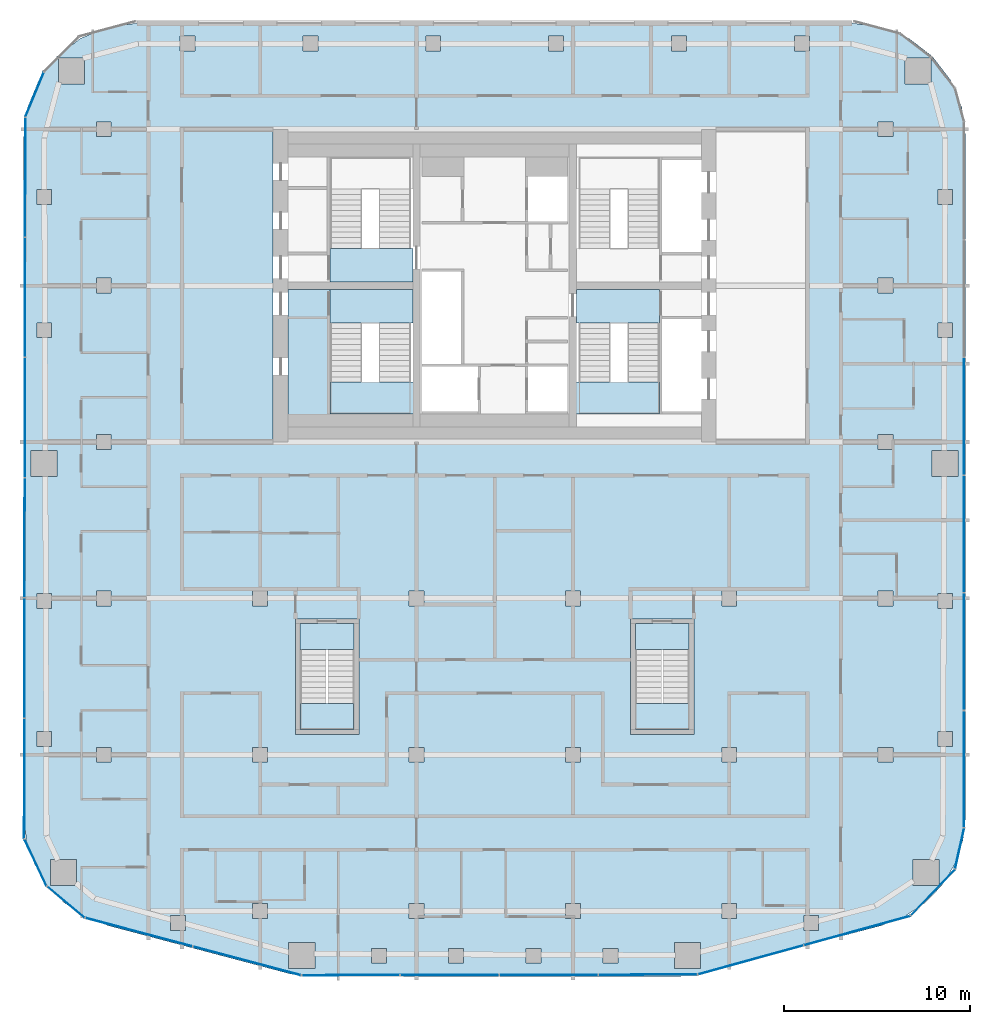
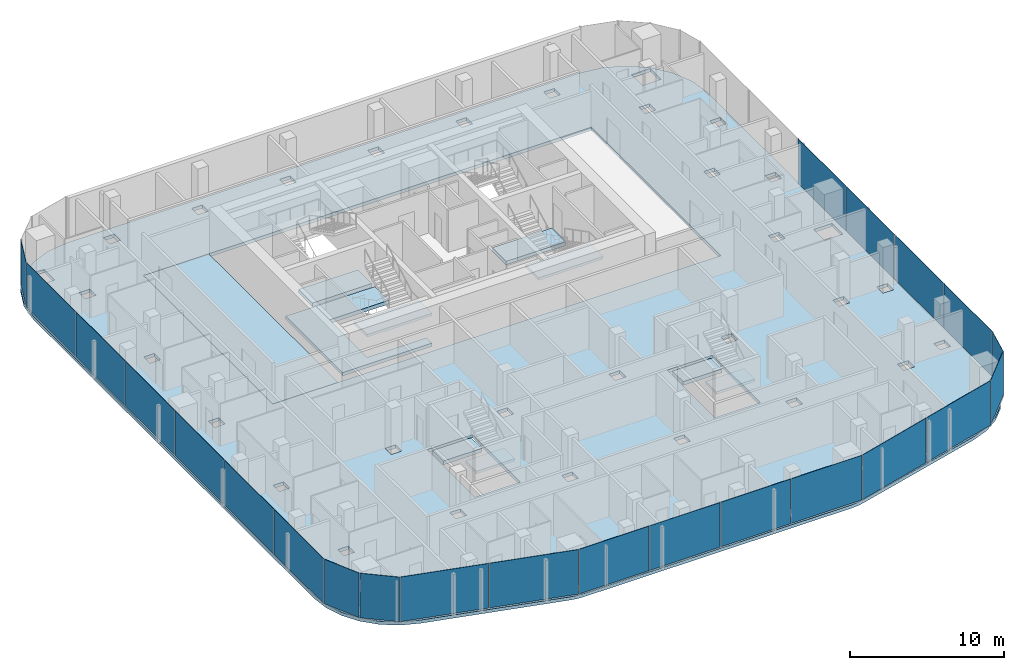
# One storey, part 12 of 21: 23 plates, 12 slabs, 14 elements without a shape of their own.
"""IFC4 building model written with IfcOpenShell, lengths in metres."""

from ifc_helpers import new_model, si_unit, direction, frame, origin, origin_2d, place, context, subcontext, project, spatial, polyline, rectangle, outline, extrude, material, layer, layer_set, type_object, element, aggregate, save


model = new_model("IFC4")

# Units and contexts
model_context = context("Model", 3, precision=1e-05, world=origin(), true_north=direction((0.0, 1.0)))
body_context = subcontext(model_context, "Body", "Model", "MODEL_VIEW")
ifc_project = project(units=[si_unit("LENGTHUNIT", "METRE"), si_unit("AREAUNIT", "SQUARE_METRE"), si_unit("VOLUMEUNIT", "CUBIC_METRE"), si_unit("PLANEANGLEUNIT", "RADIAN"), si_unit("MASSUNIT", "GRAM", prefix="KILO")], contexts=[model_context])

# Site, building, storey
site_placement = place(None, origin())
site = spatial("IfcSite", under=ifc_project, at=site_placement, CompositionType="ELEMENT")
building_placement = place(site_placement, origin())
building = spatial("IfcBuilding", under=site, at=building_placement, Name="Marenta Gate Hotel Tower", CompositionType="ELEMENT")
storey_placement = place(building_placement, frame((0.0, 0.0, 245.300048828125)))
storey = spatial("IfcBuildingStorey", under=building, at=storey_placement, Name="L58", CompositionType="ELEMENT", Elevation=245.300048828125)

# Slabs
ifc_material_1 = material(Name="Concrete C35", Category="concrete")
ifc_layer_1 = layer(ifc_material_1, 0.260009765625)
ifc_layer_set_1 = layer_set([ifc_layer_1], Name="Concrete C35")
slab_type_1 = type_object("IfcSlabType", Name="Concrete floor slab 260", PredefinedType="FLOOR", material=ifc_layer_set_1)
slab_1_placement = place(storey_placement, frame((0.0, 0.0, -0.260009765625)))
element("IfcSlab", 1, at=slab_1_placement, inside=storey, type_object=slab_type_1, Name="L58-SL-1", PredefinedType="FLOOR", context=body_context, shape_type="SweptSolid", body=[
    extrude(outline(polyline([(-23.11376953125, -24.76416015625), (-24.035400390625, -23.803955078125), (-24.72705078125, -22.6669921875), (-25.155517578125, -21.4072265625), (-25.300048828125, -20.08984375), (-25.300048828125, 16.406494140625), (-25.093017578125, 17.97900390625), (-24.483642578125, 19.450439453125), (-23.513916015625, 20.7138671875), (-22.25048828125, 21.68359375), (-20.779052734375, 22.29296875), (-19.20654296875, 22.5), (19.20654296875, 22.5), (20.779052734375, 22.29296875), (22.25048828125, 21.68359375), (23.513916015625, 20.7138671875), (24.483642578125, 19.450439453125), (25.093017578125, 17.97900390625), (25.300048828125, 16.406494140625), (25.300048828125, -20.08984375), (25.155517578125, -21.4072265625), (24.72705078125, -22.6669921875), (24.035400390625, -23.803955078125), (23.11376953125, -24.76416015625), (22.005859375, -25.501220703125), (20.76953125, -25.978759765625), (11.026611328125, -28.563720703125), (10.508544921875, -28.665771484375), (9.981689453125, -28.699951171875), (-9.981689453125, -28.699951171875), (-10.508544921875, -28.665771484375), (-11.026611328125, -28.563720703125), (-20.76953125, -25.978759765625), (-22.005859375, -25.501220703125), (-23.11376953125, -24.76416015625)]), holes=[polyline([(-16.800048828125, 0.0), (16.800048828125, 0.0), (16.800048828125, 16.800048828125), (-16.800048828125, 16.800048828125), (-16.800048828125, 0.0)]), polyline([(-16.606689453125, -25.439208984375), (-17.40673828125, -25.439208984375), (-17.40673828125, -26.239013671875), (-16.606689453125, -26.239013671875), (-16.606689453125, -25.439208984375)]), polyline([(-12.199951171875, -25.60009765625), (-12.199951171875, -24.800048828125), (-13.0, -24.800048828125), (-13.0, -25.60009765625), (-12.199951171875, -25.60009765625)]), polyline([(-22.462890625, -23.8330078125), (-22.462890625, -22.43310546875), (-23.863037109375, -22.43310546875), (-23.863037109375, -23.8330078125), (-22.462890625, -23.8330078125)]), polyline([(-12.199951171875, -16.39990234375), (-13.0, -16.39990234375), (-13.0, -17.199951171875), (-12.199951171875, -17.199951171875), (-12.199951171875, -16.39990234375)]), polyline([(-20.60009765625, -17.199951171875), (-20.60009765625, -16.39990234375), (-21.39990234375, -16.39990234375), (-21.39990234375, -17.199951171875), (-20.60009765625, -17.199951171875)]), polyline([(-23.800048828125, -16.351806640625), (-23.800048828125, -15.552001953125), (-24.60009765625, -15.552001953125), (-24.60009765625, -16.351806640625), (-23.800048828125, -16.351806640625)]), polyline([(-23.800048828125, -8.15087890625), (-24.60009765625, -8.15087890625), (-24.60009765625, -8.950927734375), (-23.800048828125, -8.950927734375), (-23.800048828125, -8.15087890625)]), polyline([(-12.199951171875, -8.800048828125), (-12.199951171875, -8.0), (-13.0, -8.0), (-13.0, -8.800048828125), (-12.199951171875, -8.800048828125)]), polyline([(-20.60009765625, -8.800048828125), (-20.60009765625, -8.0), (-21.39990234375, -8.0), (-21.39990234375, -8.800048828125), (-20.60009765625, -8.800048828125)]), polyline([(-23.5, -0.449951171875), (-24.89990234375, -0.449951171875), (-24.89990234375, -1.85009765625), (-23.5, -1.85009765625), (-23.5, -0.449951171875)]), polyline([(-20.60009765625, -0.39990234375), (-20.60009765625, 0.39990234375), (-21.39990234375, 0.39990234375), (-21.39990234375, -0.39990234375), (-20.60009765625, -0.39990234375)]), polyline([(-23.800048828125, 5.603271484375), (-23.800048828125, 6.4033203125), (-24.60009765625, 6.4033203125), (-24.60009765625, 5.603271484375), (-23.800048828125, 5.603271484375)]), polyline([(-20.60009765625, 8.800048828125), (-21.39990234375, 8.800048828125), (-21.39990234375, 8.0), (-20.60009765625, 8.0), (-20.60009765625, 8.800048828125)]), polyline([(-23.800048828125, 12.75634765625), (-23.800048828125, 13.556396484375), (-24.60009765625, 13.556396484375), (-24.60009765625, 12.75634765625), (-23.800048828125, 12.75634765625)]), polyline([(-20.60009765625, 16.39990234375), (-20.60009765625, 17.199951171875), (-21.39990234375, 17.199951171875), (-21.39990234375, 16.39990234375), (-20.60009765625, 16.39990234375)]), polyline([(-22.035400390625, 20.635498046875), (-23.435546875, 20.635498046875), (-23.435546875, 19.235595703125), (-22.035400390625, 19.235595703125), (-22.035400390625, 20.635498046875)]), polyline([(-16.10693359375, 21.0), (-16.10693359375, 21.800048828125), (-16.906982421875, 21.800048828125), (-16.906982421875, 21.0), (-16.10693359375, 21.0)]), polyline([(-5.820068359375, -28.0), (-5.820068359375, -27.199951171875), (-6.6201171875, -27.199951171875), (-6.6201171875, -28.0), (-5.820068359375, -28.0)]), polyline([(6.6201171875, -27.199951171875), (5.820068359375, -27.199951171875), (5.820068359375, -28.0), (6.6201171875, -28.0), (6.6201171875, -27.199951171875)]), polyline([(2.473388671875, -28.0), (2.473388671875, -27.199951171875), (1.67333984375, -27.199951171875), (1.67333984375, -28.0), (2.473388671875, -28.0)]), polyline([(-1.67333984375, -28.0), (-1.67333984375, -27.199951171875), (-2.473388671875, -27.199951171875), (-2.473388671875, -28.0), (-1.67333984375, -28.0)]), polyline([(-9.666259765625, -28.27490234375), (-9.666259765625, -26.874755859375), (-11.06640625, -26.874755859375), (-11.06640625, -28.27490234375), (-9.666259765625, -28.27490234375)]), polyline([(11.06640625, -28.27490234375), (11.06640625, -26.874755859375), (9.666259765625, -26.874755859375), (9.666259765625, -28.27490234375), (11.06640625, -28.27490234375)]), polyline([(13.0, -25.60009765625), (13.0, -24.800048828125), (12.199951171875, -24.800048828125), (12.199951171875, -25.60009765625), (13.0, -25.60009765625)]), polyline([(4.60009765625, -25.60009765625), (4.60009765625, -24.800048828125), (3.800048828125, -24.800048828125), (3.800048828125, -25.60009765625), (4.60009765625, -25.60009765625)]), polyline([(-3.800048828125, -24.800048828125), (-4.60009765625, -24.800048828125), (-4.60009765625, -25.60009765625), (-3.800048828125, -25.60009765625), (-3.800048828125, -24.800048828125)]), polyline([(4.60009765625, -17.199951171875), (4.60009765625, -16.39990234375), (3.800048828125, -16.39990234375), (3.800048828125, -17.199951171875), (4.60009765625, -17.199951171875)]), polyline([(-3.800048828125, -17.199951171875), (-3.800048828125, -16.39990234375), (-4.60009765625, -16.39990234375), (-4.60009765625, -17.199951171875), (-3.800048828125, -17.199951171875)]), polyline([(4.60009765625, -8.0), (3.800048828125, -8.0), (3.800048828125, -8.800048828125), (4.60009765625, -8.800048828125), (4.60009765625, -8.0)]), polyline([(-3.800048828125, -8.800048828125), (-3.800048828125, -8.0), (-4.60009765625, -8.0), (-4.60009765625, -8.800048828125), (-3.800048828125, -8.800048828125)]), polyline([(-2.9013671875, 21.0), (-2.9013671875, 21.800048828125), (-3.701416015625, 21.800048828125), (-3.701416015625, 21.0), (-2.9013671875, 21.0)]), polyline([(3.701416015625, 21.800048828125), (2.9013671875, 21.800048828125), (2.9013671875, 21.0), (3.701416015625, 21.0), (3.701416015625, 21.800048828125)]), polyline([(10.30419921875, 21.0), (10.30419921875, 21.800048828125), (9.504150390625, 21.800048828125), (9.504150390625, 21.0), (10.30419921875, 21.0)]), polyline([(-9.504150390625, 21.0), (-9.504150390625, 21.800048828125), (-10.30419921875, 21.800048828125), (-10.30419921875, 21.0), (-9.504150390625, 21.0)]), polyline([(17.40673828125, -25.439208984375), (16.606689453125, -25.439208984375), (16.606689453125, -26.239013671875), (17.40673828125, -26.239013671875), (17.40673828125, -25.439208984375)]), polyline([(23.863037109375, -23.8330078125), (23.863037109375, -22.43310546875), (22.462890625, -22.43310546875), (22.462890625, -23.8330078125), (23.863037109375, -23.8330078125)]), polyline([(13.0, -17.199951171875), (13.0, -16.39990234375), (12.199951171875, -16.39990234375), (12.199951171875, -17.199951171875), (13.0, -17.199951171875)]), polyline([(21.39990234375, -16.39990234375), (20.60009765625, -16.39990234375), (20.60009765625, -17.199951171875), (21.39990234375, -17.199951171875), (21.39990234375, -16.39990234375)]), polyline([(24.60009765625, -16.351806640625), (24.60009765625, -15.552001953125), (23.800048828125, -15.552001953125), (23.800048828125, -16.351806640625), (24.60009765625, -16.351806640625)]), polyline([(24.60009765625, -8.950927734375), (24.60009765625, -8.15087890625), (23.800048828125, -8.15087890625), (23.800048828125, -8.950927734375), (24.60009765625, -8.950927734375)]), polyline([(13.0, -8.0), (12.199951171875, -8.0), (12.199951171875, -8.800048828125), (13.0, -8.800048828125), (13.0, -8.0)]), polyline([(21.39990234375, -8.800048828125), (21.39990234375, -8.0), (20.60009765625, -8.0), (20.60009765625, -8.800048828125), (21.39990234375, -8.800048828125)]), polyline([(24.89990234375, -1.85009765625), (24.89990234375, -0.449951171875), (23.5, -0.449951171875), (23.5, -1.85009765625), (24.89990234375, -1.85009765625)]), polyline([(21.39990234375, 0.39990234375), (20.60009765625, 0.39990234375), (20.60009765625, -0.39990234375), (21.39990234375, -0.39990234375), (21.39990234375, 0.39990234375)]), polyline([(24.60009765625, 5.603271484375), (24.60009765625, 6.4033203125), (23.800048828125, 6.4033203125), (23.800048828125, 5.603271484375), (24.60009765625, 5.603271484375)]), polyline([(21.39990234375, 8.0), (21.39990234375, 8.800048828125), (20.60009765625, 8.800048828125), (20.60009765625, 8.0), (21.39990234375, 8.0)]), polyline([(24.60009765625, 12.75634765625), (24.60009765625, 13.556396484375), (23.800048828125, 13.556396484375), (23.800048828125, 12.75634765625), (24.60009765625, 12.75634765625)]), polyline([(21.39990234375, 16.39990234375), (21.39990234375, 17.199951171875), (20.60009765625, 17.199951171875), (20.60009765625, 16.39990234375), (21.39990234375, 16.39990234375)]), polyline([(23.435546875, 19.235595703125), (23.435546875, 20.635498046875), (22.035400390625, 20.635498046875), (22.035400390625, 19.235595703125), (23.435546875, 19.235595703125)]), polyline([(16.906982421875, 21.0), (16.906982421875, 21.800048828125), (16.10693359375, 21.800048828125), (16.10693359375, 21.0), (16.906982421875, 21.0)]), polyline([(-7.300048828125, -15.699951171875), (-7.300048828125, -9.5), (-10.699951171875, -9.5), (-10.699951171875, -15.699951171875), (-7.300048828125, -15.699951171875)]), polyline([(10.699951171875, -15.699951171875), (10.699951171875, -9.5), (7.300048828125, -9.5), (7.300048828125, -15.699951171875), (10.699951171875, -15.699951171875)])]), origin(), (0.0, 0.0, 1.0), 0.260009765625),
])
ifc_material_2 = material(Name="Concrete C40", Category="concrete")
ifc_layer_2 = layer(ifc_material_2, 0.260009765625)
ifc_layer_set_2 = layer_set([ifc_layer_2], Name="Concrete C40")
slab_type_2 = type_object("IfcSlabType", Name="Core floor slab 260", PredefinedType="FLOOR", material=ifc_layer_set_2)
slab_2_placement = place(storey_placement, frame((0.0, 0.0, -0.260009765625)))
element("IfcSlab", 2, at=slab_2_placement, inside=storey, type_object=slab_type_2, Name="L58-CF-5", PredefinedType="FLOOR", context=body_context, shape_type="SweptSolid", body=[
    extrude(outline(polyline([(-8.85009765625, 8.199951171875), (-8.85009765625, 8.10009765625), (-8.85009765625, 6.39990234375), (-8.85009765625, 1.5), (-4.39990234375, 1.5), (-4.39990234375, 0.800048828125), (-11.10009765625, 0.800048828125), (-11.10009765625, 8.199951171875), (-8.85009765625, 8.199951171875)])), origin(), (0.0, 0.0, 1.0), 0.260009765625),
])
slab_3_placement = place(storey_placement, frame((0.0, 0.0, -0.260009765625)))
element("IfcSlab", 3, at=slab_3_placement, inside=storey, type_object=slab_type_2, Name="L58-CF-7", PredefinedType="FLOOR", context=body_context, shape_type="SweptSolid", body=[
    extrude(outline(polyline([(-11.89990234375, 16.800048828125), (-11.89990234375, 0.0), (-16.800048828125, 0.0), (-16.800048828125, 16.800048828125), (-11.89990234375, 16.800048828125)])), origin(), (0.0, 0.0, 1.0), 0.260009765625),
])

# Stair, slab
ifc_material_3 = material(Name="Concrete C40", Category="concrete")
stair_type_1 = type_object("IfcStairType", Name="Core exit stair 1700 wide", PredefinedType="HALF_TURN_STAIR", material=ifc_material_3)
stair_1_placement = place(storey_placement, origin())
stair_1 = element("IfcStair", 4, at=stair_1_placement, inside=storey, type_object=stair_type_1, Name="Exit stair 1", PredefinedType="HALF_TURN_STAIR")
ifc_material_4 = material(Name="Concrete C40", Category="concrete")
ifc_layer_3 = layer(ifc_material_4, 0.199951171875)
ifc_layer_set_3 = layer_set([ifc_layer_3], Name="Concrete C40")
slab_type_3 = type_object("IfcSlabType", Name="Core stair landing 200", PredefinedType="LANDING", material=ifc_layer_set_3)
slab_4_placement = place(storey_placement, frame((0.0, 0.0, 1.599853515625)))
slab_4 = element("IfcSlab", 5, at=slab_4_placement, type_object=slab_type_3, Name="SL-200 ST1 landing 1", PredefinedType="LANDING", context=body_context, shape_type="SweptSolid", body=[
    extrude(outline(polyline([(-8.85009765625, 1.5), (-4.0, 1.5), (-4.0, 3.2099609375), (-8.85009765625, 3.2099609375), (-8.85009765625, 1.5)])), origin(), (0.0, 0.0, 1.0), 0.2001953125),
])
aggregate(stair_1, [slab_4])

stair_2_placement = place(storey_placement, origin())
stair_2 = element("IfcStair", 6, at=stair_2_placement, inside=storey, type_object=stair_type_1, Name="Exit stair 3", PredefinedType="HALF_TURN_STAIR")
slab_5_placement = place(storey_placement, frame((0.0, 0.0, 1.599853515625)))
slab_5 = element("IfcSlab", 7, at=slab_5_placement, type_object=slab_type_3, Name="SL-200 ST3 landing 1", PredefinedType="LANDING", context=body_context, shape_type="SweptSolid", body=[
    extrude(outline(polyline([(4.0, 1.5), (8.85009765625, 1.5), (8.85009765625, 3.2099609375), (4.0, 3.2099609375), (4.0, 1.5)])), origin(), (0.0, 0.0, 1.0), 0.2001953125),
])
aggregate(stair_2, [slab_5])

# Curtain wall, plate
ifc_material_5 = material(Name="Tinted insulated glass in bronze anodised frame", Category="glass")
ifc_layer_4 = layer(ifc_material_5, 0.1201171875)
ifc_layer_set_4 = layer_set([ifc_layer_4], Name="Tinted insulated glass in bronze anodised frame")
curtain_wall_type = type_object("IfcCurtainWallType", Name="Tower unitised curtain wall CW1", PredefinedType="NOTDEFINED", material=ifc_layer_set_4)
curtain_wall_1_placement = place(storey_placement, origin())
curtain_wall_1 = element("IfcCurtainWall", 8, at=curtain_wall_1_placement, inside=storey, type_object=curtain_wall_type, Name="CW1 run G02", PredefinedType="NOTDEFINED")
ifc_material_6 = material(Name="Tinted insulated glass", Category="glass")
ifc_layer_5 = layer(ifc_material_6, 0.028076171875)
ifc_layer_set_5 = layer_set([ifc_layer_5], Name="Tinted insulated glass")
plate_type = type_object("IfcPlateType", Name="Glass panel CW1 28 mm tinted insulated unit", PredefinedType="CURTAIN_PANEL", material=ifc_layer_set_5)
plate_1_placement = place(storey_placement, frame((-24.719482421875, 18.656005859375, 0.059814453125), z_axis=(0.0, 0.0, 1.0), x_axis=(-0.382666772044, -0.923886433266, 0.0)))
plate_1 = element("IfcPlate", 9, at=plate_1_placement, type_object=plate_type, Name="CW1 panel 1.1", PredefinedType="CURTAIN_PANEL", context=body_context, shape_type="SweptSolid", body=[
    extrude(rectangle(XDim=2.57568359375, YDim=0.028076171875, at=origin_2d()), origin(), (0.0, 0.0, 1.0), 3.5400390625),
])
aggregate(curtain_wall_1, [plate_1])

# Curtain wall, plates
curtain_wall_2_placement = place(storey_placement, origin())
curtain_wall_2 = element("IfcCurtainWall", 10, at=curtain_wall_2_placement, inside=storey, type_object=curtain_wall_type, Name="CW1 run G03", PredefinedType="NOTDEFINED")
plate_2_placement = place(storey_placement, frame((-25.21728515625, 14.22119140625, 0.059814453125), z_axis=(0.0, 0.0, 1.0), x_axis=(-0.001566045546, -0.99999877375, 0.0)))
plate_2 = element("IfcPlate", 11, at=plate_2_placement, type_object=plate_type, Name="CW1 panel 1.1", PredefinedType="CURTAIN_PANEL", context=body_context, shape_type="SweptSolid", body=[
    extrude(rectangle(XDim=6.3701171875, YDim=0.028076171875, at=origin_2d()), origin(), (0.0, 0.0, 1.0), 3.5400390625),
])
plate_3_placement = place(storey_placement, frame((-25.2275390625, 7.776123046875, 0.059814453125), z_axis=(0.0, 0.0, 1.0), x_axis=(-0.001566045546, -0.99999877375, 0.0)))
plate_3 = element("IfcPlate", 12, at=plate_3_placement, type_object=plate_type, Name="CW1 panel 2.1", PredefinedType="CURTAIN_PANEL", context=body_context, shape_type="SweptSolid", body=[
    extrude(rectangle(XDim=6.39990234375, YDim=0.028076171875, at=origin_2d()), origin(), (0.0, 0.0, 1.0), 3.5400390625),
])
plate_4_placement = place(storey_placement, frame((-25.237548828125, 1.316162109375, 0.059814453125), z_axis=(0.0, 0.0, 1.0), x_axis=(-0.001566045546, -0.99999877375, 0.0)))
plate_4 = element("IfcPlate", 13, at=plate_4_placement, type_object=plate_type, Name="CW1 panel 3.1", PredefinedType="CURTAIN_PANEL", context=body_context, shape_type="SweptSolid", body=[
    extrude(rectangle(XDim=6.39990234375, YDim=0.028076171875, at=origin_2d()), origin(), (0.0, 0.0, 1.0), 3.5400390625),
])
plate_5_placement = place(storey_placement, frame((-25.247802734375, -5.143798828125, 0.059814453125), z_axis=(0.0, 0.0, 1.0), x_axis=(-0.001566045546, -0.99999877375, 0.0)))
plate_5 = element("IfcPlate", 14, at=plate_5_placement, type_object=plate_type, Name="CW1 panel 4.1", PredefinedType="CURTAIN_PANEL", context=body_context, shape_type="SweptSolid", body=[
    extrude(rectangle(XDim=6.39990234375, YDim=0.028076171875, at=origin_2d()), origin(), (0.0, 0.0, 1.0), 3.5400390625),
])
plate_6_placement = place(storey_placement, frame((-25.2578125, -11.603759765625, 0.059814453125), z_axis=(0.0, 0.0, 1.0), x_axis=(-0.001566045546, -0.99999877375, 0.0)))
plate_6 = element("IfcPlate", 15, at=plate_6_placement, type_object=plate_type, Name="CW1 panel 5.1", PredefinedType="CURTAIN_PANEL", context=body_context, shape_type="SweptSolid", body=[
    extrude(rectangle(XDim=6.39990234375, YDim=0.028076171875, at=origin_2d()), origin(), (0.0, 0.0, 1.0), 3.5400390625),
])
plate_7_placement = place(storey_placement, frame((-25.26806640625, -18.078857421875, 0.059814453125), z_axis=(0.0, 0.0, 1.0), x_axis=(-0.001566045546, -0.99999877375, 0.0)))
plate_7 = element("IfcPlate", 16, at=plate_7_placement, type_object=plate_type, Name="CW1 panel 6.1", PredefinedType="CURTAIN_PANEL", context=body_context, shape_type="SweptSolid", body=[
    extrude(rectangle(XDim=6.429931640625, YDim=0.028076171875, at=origin_2d()), origin(), (0.0, 0.0, 1.0), 3.5400390625),
])
aggregate(curtain_wall_2, [plate_2, plate_3, plate_4, plate_5, plate_6, plate_7])

# Curtain wall, plate
curtain_wall_3_placement = place(storey_placement, origin())
curtain_wall_3 = element("IfcCurtainWall", 17, at=curtain_wall_3_placement, inside=storey, type_object=curtain_wall_type, Name="CW1 run G04", PredefinedType="NOTDEFINED")
plate_8_placement = place(storey_placement, frame((-24.665283203125, -22.594482421875, 0.059814453125), z_axis=(0.0, 0.0, 1.0), x_axis=(0.42333719762, -0.905972194447, 0.0)))
plate_8 = element("IfcPlate", 18, at=plate_8_placement, type_object=plate_type, Name="CW1 panel 1.1", PredefinedType="CURTAIN_PANEL", context=body_context, shape_type="SweptSolid", body=[
    extrude(rectangle(XDim=2.751220703125, YDim=0.028076171875, at=origin_2d()), origin(), (0.0, 0.0, 1.0), 3.5400390625),
])
aggregate(curtain_wall_3, [plate_8])

curtain_wall_4_placement = place(storey_placement, origin())
curtain_wall_4 = element("IfcCurtainWall", 19, at=curtain_wall_4_placement, inside=storey, type_object=curtain_wall_type, Name="CW1 run G05", PredefinedType="NOTDEFINED")
plate_9_placement = place(storey_placement, frame((-23.0361328125, -24.716064453125, 0.059814453125), z_axis=(0.0, 0.0, 1.0), x_axis=(0.767102345594, -0.641524739495, 0.0)))
plate_9 = element("IfcPlate", 20, at=plate_9_placement, type_object=plate_type, Name="CW1 panel 1.1", PredefinedType="CURTAIN_PANEL", context=body_context, shape_type="SweptSolid", body=[
    extrude(rectangle(XDim=2.609375, YDim=0.028076171875, at=origin_2d()), origin(), (0.0, 0.0, 1.0), 3.5400390625),
])
aggregate(curtain_wall_4, [plate_9])

# Curtain wall, plates
curtain_wall_5_placement = place(storey_placement, origin())
curtain_wall_5 = element("IfcCurtainWall", 21, at=curtain_wall_5_placement, inside=storey, type_object=curtain_wall_type, Name="CW1 run G06", PredefinedType="NOTDEFINED")
plate_10_placement = place(storey_placement, frame((-19.113525390625, -26.33056640625, 0.059814453125), z_axis=(0.0, 0.0, 1.0), x_axis=(0.966374375295, -0.257139197271, 0.0)))
plate_10 = element("IfcPlate", 22, at=plate_10_placement, type_object=plate_type, Name="CW1 panel 1.1", PredefinedType="CURTAIN_PANEL", context=body_context, shape_type="SweptSolid", body=[
    extrude(rectangle(XDim=5.927001953125, YDim=0.028076171875, at=origin_2d()), origin(), (0.0, 0.0, 1.0), 3.5400390625),
])
plate_11_placement = place(storey_placement, frame((-13.298828125, -27.877685546875, 0.059814453125), z_axis=(0.0, 0.0, 1.0), x_axis=(0.966374375295, -0.257139197271, 0.0)))
plate_11 = element("IfcPlate", 23, at=plate_11_placement, type_object=plate_type, Name="CW1 panel 2.1", PredefinedType="CURTAIN_PANEL", context=body_context, shape_type="SweptSolid", body=[
    extrude(rectangle(XDim=5.987060546875, YDim=0.028076171875, at=origin_2d()), origin(), (0.0, 0.0, 1.0), 3.5400390625),
])
aggregate(curtain_wall_5, [plate_10, plate_11])

curtain_wall_6_placement = place(storey_placement, origin())
curtain_wall_6 = element("IfcCurtainWall", 24, at=curtain_wall_6_placement, inside=storey, type_object=curtain_wall_type, Name="CW1 run G07", PredefinedType="NOTDEFINED")
plate_12_placement = place(storey_placement, frame((-7.73095703125, -28.64306640625, 0.059814453125), z_axis=(0.0, 0.0, 1.0), x_axis=(0.999998647385, 0.001644757804, 0.0)))
plate_12 = element("IfcPlate", 25, at=plate_12_placement, type_object=plate_type, Name="CW1 panel 1.1", PredefinedType="CURTAIN_PANEL", context=body_context, shape_type="SweptSolid", body=[
    extrude(rectangle(XDim=5.22998046875, YDim=0.028076171875, at=origin_2d()), origin(), (0.0, 0.0, 1.0), 3.5400390625),
])
plate_13_placement = place(storey_placement, frame((-2.426025390625, -28.63427734375, 0.059814453125), z_axis=(0.0, 0.0, 1.0), x_axis=(0.999998647385, 0.001644757804, 0.0)))
plate_13 = element("IfcPlate", 26, at=plate_13_placement, type_object=plate_type, Name="CW1 panel 2.1", PredefinedType="CURTAIN_PANEL", context=body_context, shape_type="SweptSolid", body=[
    extrude(rectangle(XDim=5.260009765625, YDim=0.028076171875, at=origin_2d()), origin(), (0.0, 0.0, 1.0), 3.5400390625),
])
plate_14_placement = place(storey_placement, frame((2.893798828125, -28.625732421875, 0.059814453125), z_axis=(0.0, 0.0, 1.0), x_axis=(0.999998647385, 0.001644757804, 0.0)))
plate_14 = element("IfcPlate", 27, at=plate_14_placement, type_object=plate_type, Name="CW1 panel 3.1", PredefinedType="CURTAIN_PANEL", context=body_context, shape_type="SweptSolid", body=[
    extrude(rectangle(XDim=5.260009765625, YDim=0.028076171875, at=origin_2d()), origin(), (0.0, 0.0, 1.0), 3.5400390625),
])
plate_15_placement = place(storey_placement, frame((8.228759765625, -28.616943359375, 0.059814453125), z_axis=(0.0, 0.0, 1.0), x_axis=(0.999998647385, 0.001644757804, 0.0)))
plate_15 = element("IfcPlate", 28, at=plate_15_placement, type_object=plate_type, Name="CW1 panel 4.1", PredefinedType="CURTAIN_PANEL", context=body_context, shape_type="SweptSolid", body=[
    extrude(rectangle(XDim=5.289794921875, YDim=0.028076171875, at=origin_2d()), origin(), (0.0, 0.0, 1.0), 3.5400390625),
])
aggregate(curtain_wall_6, [plate_12, plate_13, plate_14, plate_15])

curtain_wall_7_placement = place(storey_placement, origin())
curtain_wall_7 = element("IfcCurtainWall", 29, at=curtain_wall_7_placement, inside=storey, type_object=curtain_wall_type, Name="CW1 run G08", PredefinedType="NOTDEFINED")
plate_16_placement = place(storey_placement, frame((13.7509765625, -27.82080078125, 0.059814453125), z_axis=(0.0, 0.0, 1.0), x_axis=(0.964167765212, 0.265293272675, 0.0)))
plate_16 = element("IfcPlate", 30, at=plate_16_placement, type_object=plate_type, Name="CW1 panel 1.1", PredefinedType="CURTAIN_PANEL", context=body_context, shape_type="SweptSolid", body=[
    extrude(rectangle(XDim=5.848388671875, YDim=0.028076171875, at=origin_2d()), origin(), (0.0, 0.0, 1.0), 3.5400390625),
])
plate_17_placement = place(storey_placement, frame((19.4765625, -26.245361328125, 0.059814453125), z_axis=(0.0, 0.0, 1.0), x_axis=(0.964167765212, 0.265293272675, 0.0)))
plate_17 = element("IfcPlate", 31, at=plate_17_placement, type_object=plate_type, Name="CW1 panel 2.1", PredefinedType="CURTAIN_PANEL", context=body_context, shape_type="SweptSolid", body=[
    extrude(rectangle(XDim=5.908203125, YDim=0.028076171875, at=origin_2d()), origin(), (0.0, 0.0, 1.0), 3.5400390625),
])
aggregate(curtain_wall_7, [plate_16, plate_17])

# Curtain wall, plate
curtain_wall_8_placement = place(storey_placement, origin())
curtain_wall_8 = element("IfcCurtainWall", 32, at=curtain_wall_8_placement, inside=storey, type_object=curtain_wall_type, Name="CW1 run G09", PredefinedType="NOTDEFINED")
plate_18_placement = place(storey_placement, frame((23.543212890625, -24.1923828125, 0.059814453125), z_axis=(0.0, 0.0, 1.0), x_axis=(0.692548076564, 0.72137172224, 0.0)))
plate_18 = element("IfcPlate", 33, at=plate_18_placement, type_object=plate_type, Name="CW1 panel 1.1", PredefinedType="CURTAIN_PANEL", context=body_context, shape_type="SweptSolid", body=[
    extrude(rectangle(XDim=3.39892578125, YDim=0.028076171875, at=origin_2d()), origin(), (0.0, 0.0, 1.0), 3.5400390625),
])
aggregate(curtain_wall_8, [plate_18])

curtain_wall_9_placement = place(storey_placement, origin())
curtain_wall_9 = element("IfcCurtainWall", 34, at=curtain_wall_9_placement, inside=storey, type_object=curtain_wall_type, Name="CW1 run G10", PredefinedType="NOTDEFINED")
plate_19_placement = place(storey_placement, frame((24.9736328125, -21.825927734375, 0.059814453125), z_axis=(0.0, 0.0, 1.0), x_axis=(0.216842096529, 0.97620669183, 0.0)))
plate_19 = element("IfcPlate", 35, at=plate_19_placement, type_object=plate_type, Name="CW1 panel 1.1", PredefinedType="CURTAIN_PANEL", context=body_context, shape_type="SweptSolid", body=[
    extrude(rectangle(XDim=2.216796875, YDim=0.028076171875, at=origin_2d()), origin(), (0.0, 0.0, 1.0), 3.5400390625),
])
aggregate(curtain_wall_9, [plate_19])

# Curtain wall, plates
curtain_wall_10_placement = place(storey_placement, origin())
curtain_wall_10 = element("IfcCurtainWall", 36, at=curtain_wall_10_placement, inside=storey, type_object=curtain_wall_type, Name="CW1 run G11", PredefinedType="NOTDEFINED")
plate_20_placement = place(storey_placement, frame((25.214111328125, -17.567626953125, 0.059814453125), z_axis=(0.0, 0.0, 1.0), x_axis=(0.0, 1.0, 0.0)))
plate_20 = element("IfcPlate", 37, at=plate_20_placement, type_object=plate_type, Name="CW1 panel 1.1", PredefinedType="CURTAIN_PANEL", context=body_context, shape_type="SweptSolid", body=[
    extrude(rectangle(XDim=6.232666015625, YDim=0.028076171875, at=origin_2d()), origin(), (0.0, 0.0, 1.0), 3.5400390625),
])
plate_21_placement = place(storey_placement, frame((25.214111328125, -11.260009765625, 0.059814453125), z_axis=(0.0, 0.0, 1.0), x_axis=(0.0, 1.0, 0.0)))
plate_21 = element("IfcPlate", 38, at=plate_21_placement, type_object=plate_type, Name="CW1 panel 2.1", PredefinedType="CURTAIN_PANEL", context=body_context, shape_type="SweptSolid", body=[
    extrude(rectangle(XDim=6.2626953125, YDim=0.028076171875, at=origin_2d()), origin(), (0.0, 0.0, 1.0), 3.5400390625),
])
plate_22_placement = place(storey_placement, frame((25.214111328125, -4.937255859375, 0.059814453125), z_axis=(0.0, 0.0, 1.0), x_axis=(0.0, 1.0, 0.0)))
plate_22 = element("IfcPlate", 39, at=plate_22_placement, type_object=plate_type, Name="CW1 panel 3.1", PredefinedType="CURTAIN_PANEL", context=body_context, shape_type="SweptSolid", body=[
    extrude(rectangle(XDim=6.2626953125, YDim=0.028076171875, at=origin_2d()), origin(), (0.0, 0.0, 1.0), 3.5400390625),
])
plate_23_placement = place(storey_placement, frame((25.214111328125, 1.38525390625, 0.059814453125), z_axis=(0.0, 0.0, 1.0), x_axis=(0.0, 1.0, 0.0)))
plate_23 = element("IfcPlate", 40, at=plate_23_placement, type_object=plate_type, Name="CW1 panel 4.1", PredefinedType="CURTAIN_PANEL", context=body_context, shape_type="SweptSolid", body=[
    extrude(rectangle(XDim=6.2626953125, YDim=0.028076171875, at=origin_2d()), origin(), (0.0, 0.0, 1.0), 3.5400390625),
])
aggregate(curtain_wall_10, [plate_20, plate_21, plate_22, plate_23])

# Stair, slab
ifc_material_7 = material(Name="Concrete C40", Category="concrete")
stair_type_2 = type_object("IfcStairType", Name="Remote exit stair 1400 wide", PredefinedType="HALF_TURN_STAIR", material=ifc_material_7)
stair_3_placement = place(storey_placement, origin())
stair_3 = element("IfcStair", 41, at=stair_3_placement, inside=storey, type_object=stair_type_2, Name="Exit stair RS-Z3-1", PredefinedType="HALF_TURN_STAIR")
ifc_material_8 = material(Name="Concrete C40", Category="concrete")
ifc_layer_6 = layer(ifc_material_8, 0.199951171875)
ifc_layer_set_6 = layer_set([ifc_layer_6], Name="Concrete C40")
slab_type_4 = type_object("IfcSlabType", Name="Remote stair landing 200", PredefinedType="LANDING", material=ifc_layer_set_6)
slab_6_placement = place(storey_placement, frame((0.0, 0.0, 1.599853515625)))
slab_6 = element("IfcSlab", 42, at=slab_6_placement, type_object=slab_type_4, Name="RL-200 RS-Z3-1 landing 1", PredefinedType="LANDING", context=body_context, shape_type="SweptSolid", body=[
    extrude(outline(polyline([(-10.449951171875, -15.449951171875), (-7.550048828125, -15.449951171875), (-7.550048828125, -14.050048828125), (-10.449951171875, -14.050048828125), (-10.449951171875, -15.449951171875)])), origin(), (0.0, 0.0, 1.0), 0.2001953125),
])
aggregate(stair_3, [slab_6])

stair_4_placement = place(storey_placement, origin())
stair_4 = element("IfcStair", 43, at=stair_4_placement, inside=storey, type_object=stair_type_2, Name="Exit stair RS-Z3-2", PredefinedType="HALF_TURN_STAIR")
slab_7_placement = place(storey_placement, frame((0.0, 0.0, 1.599853515625)))
slab_7 = element("IfcSlab", 44, at=slab_7_placement, type_object=slab_type_4, Name="RL-200 RS-Z3-2 landing 1", PredefinedType="LANDING", context=body_context, shape_type="SweptSolid", body=[
    extrude(outline(polyline([(7.550048828125, -15.449951171875), (10.449951171875, -15.449951171875), (10.449951171875, -14.050048828125), (7.550048828125, -14.050048828125), (7.550048828125, -15.449951171875)])), origin(), (0.0, 0.0, 1.0), 0.2001953125),
])
aggregate(stair_4, [slab_7])

# Slabs
ifc_material_9 = material(Name="Concrete C40", Category="concrete")
ifc_layer_7 = layer(ifc_material_9, 0.300048828125)
ifc_layer_set_7 = layer_set([ifc_layer_7], Name="Concrete C40")
slab_type_5 = type_object("IfcSlabType", Name="Stair floor landing slab 300", PredefinedType="FLOOR", material=ifc_layer_set_7)
slab_8_placement = place(storey_placement, frame((0.0, 0.0, -0.300048828125)))
element("IfcSlab", 45, at=slab_8_placement, inside=storey, type_object=slab_type_5, Name="L58-CL-ST1-1", PredefinedType="FLOOR", context=body_context, shape_type="SweptSolid", body=[
    extrude(outline(polyline([(-4.39990234375, 6.39990234375), (-8.85009765625, 6.39990234375), (-8.85009765625, 8.10009765625), (-8.85009765625, 8.199951171875), (-4.39990234375, 8.199951171875), (-4.39990234375, 6.39990234375)])), origin(), (0.0, 0.0, 1.0), 0.300048828125),
])
slab_9_placement = place(storey_placement, frame((0.0, 0.0, -0.300048828125)))
element("IfcSlab", 46, at=slab_9_placement, inside=storey, type_object=slab_type_5, Name="L58-CL-ST2-1", PredefinedType="FLOOR", context=body_context, shape_type="SweptSolid", body=[
    extrude(outline(polyline([(-4.39990234375, 8.60009765625), (-8.85009765625, 8.60009765625), (-8.85009765625, 8.699951171875), (-8.85009765625, 10.39990234375), (-4.39990234375, 10.39990234375), (-4.39990234375, 8.60009765625)])), origin(), (0.0, 0.0, 1.0), 0.300048828125),
])
slab_10_placement = place(storey_placement, frame((0.0, 0.0, -0.300048828125)))
element("IfcSlab", 47, at=slab_10_placement, inside=storey, type_object=slab_type_5, Name="L58-CL-ST3-1", PredefinedType="FLOOR", context=body_context, shape_type="SweptSolid", body=[
    extrude(outline(polyline([(4.39990234375, 6.39990234375), (4.39990234375, 8.199951171875), (8.85009765625, 8.199951171875), (8.85009765625, 8.10009765625), (8.85009765625, 6.39990234375), (4.39990234375, 6.39990234375)])), origin(), (0.0, 0.0, 1.0), 0.300048828125),
])
slab_11_placement = place(storey_placement, frame((0.0, 0.0, -0.300048828125)))
element("IfcSlab", 48, at=slab_11_placement, inside=storey, type_object=slab_type_5, Name="L58-RS-Z3-1-CL", PredefinedType="FLOOR", context=body_context, shape_type="SweptSolid", body=[
    extrude(outline(polyline([(-7.550048828125, -11.14990234375), (-7.550048828125, -9.75), (-10.449951171875, -9.75), (-10.449951171875, -11.14990234375), (-7.550048828125, -11.14990234375)])), origin(), (0.0, 0.0, 1.0), 0.300048828125),
])
slab_12_placement = place(storey_placement, frame((0.0, 0.0, -0.300048828125)))
element("IfcSlab", 49, at=slab_12_placement, inside=storey, type_object=slab_type_5, Name="L58-RS-Z3-2-CL", PredefinedType="FLOOR", context=body_context, shape_type="SweptSolid", body=[
    extrude(outline(polyline([(10.449951171875, -11.14990234375), (10.449951171875, -9.75), (7.550048828125, -9.75), (7.550048828125, -11.14990234375), (10.449951171875, -11.14990234375)])), origin(), (0.0, 0.0, 1.0), 0.300048828125),
])

save(model, "model.ifc")
